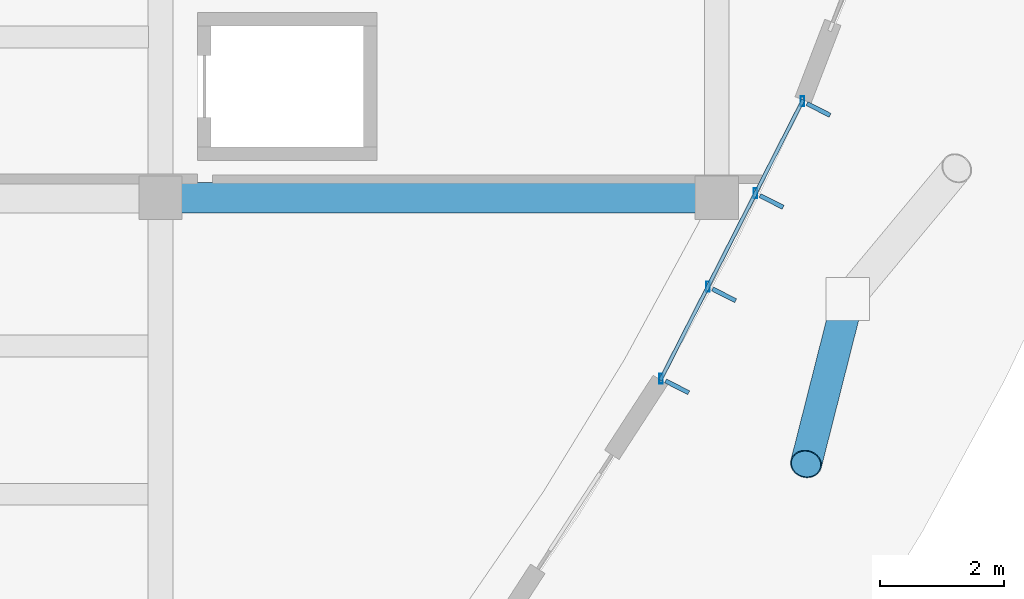
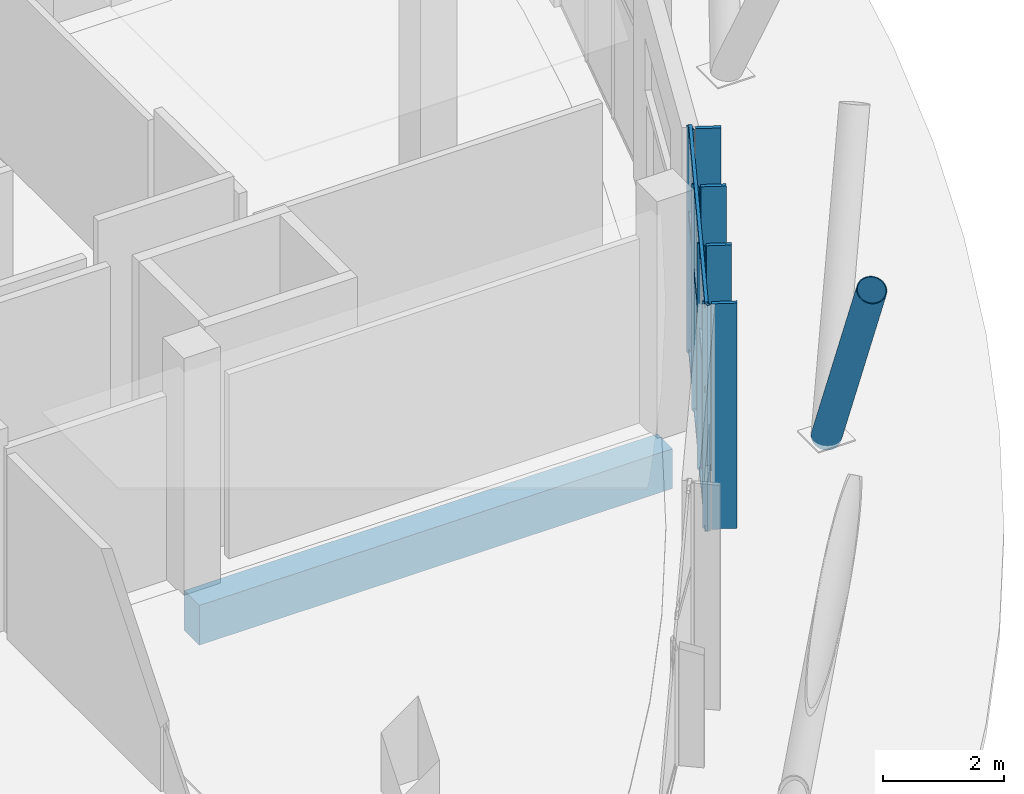
# One storey, part 80 of 151: 12 members, 1 beam, 1 element without a shape of its own.
"""IFC4 building model written with IfcOpenShell, lengths in metres."""

from ifc_helpers import new_model, si_unit, direction, frame, origin, origin_2d, place, context, subcontext, project, spatial, rectangle, hollow_rectangle, hollow_circle, extrude, material, material_profile, profile_set, type_object, element, aggregate, save


model = new_model("IFC4")

# Units and contexts
model_context = context("Model", 3, precision=1e-05, world=origin(), true_north=direction((0.0, 1.0)))
body_context = subcontext(model_context, "Body", "Model", "MODEL_VIEW")
ifc_project = project(units=[si_unit("LENGTHUNIT", "METRE"), si_unit("AREAUNIT", "SQUARE_METRE"), si_unit("VOLUMEUNIT", "CUBIC_METRE"), si_unit("PLANEANGLEUNIT", "RADIAN"), si_unit("MASSUNIT", "GRAM", prefix="KILO")], contexts=[model_context])

# Site, building, storey
site_placement = place(None, origin())
site = spatial("IfcSite", under=ifc_project, at=site_placement, CompositionType="ELEMENT")
building_placement = place(site_placement, origin())
building = spatial("IfcBuilding", under=site, at=building_placement, Name="Chiffa Square Polytechnic", CompositionType="ELEMENT")
storey_placement = place(building_placement, origin())
storey = spatial("IfcBuildingStorey", under=building, at=storey_placement, Name="L00", CompositionType="ELEMENT", Elevation=0.0)

# Beam
ifc_material_1 = material(Name="Concrete C40/50", Category="concrete")
ifc_material_profile_1 = material_profile(ifc_material_1, rectangle(XDim=0.5, YDim=0.800048828125, at=origin_2d()), Name="RC 500x800")
ifc_profile_set_1 = profile_set([ifc_material_profile_1], Name="Concrete C40/50")
beam_type = type_object("IfcBeamType", Name="BM-RC-500X800", PredefinedType="BEAM", material=ifc_profile_set_1)
beam_placement = place(storey_placement, frame((157.199951171875, 36.0, -0.75), z_axis=(1.0, 0.0, 0.0), x_axis=(0.0, 1.0, 0.0)))
element("IfcBeam", 1, at=beam_placement, inside=storey, type_object=beam_type, Name="Primary floor girder BM-V1-L00-X-1572-0360", PredefinedType="BEAM", context=body_context, shape_type="SweptSolid", body=[
    extrude(rectangle(XDim=0.5, YDim=0.800048828125, at=origin_2d()), origin(), (0.0, 0.0, 1.0), 9.0),
])

# Member
ifc_material_2 = material(Name="Steel S355", Category="steel")
ifc_material_profile_2 = material_profile(ifc_material_2, hollow_circle(Radius=0.25390625, WallThickness=0.01611328125, at=origin_2d()), Name="CHS 508x16")
ifc_profile_set_2 = profile_set([ifc_material_profile_2], Name="Steel S355")
member_type_1 = type_object("IfcMemberType", Name="COL-VSTRUT-508", PredefinedType="STRUT", material=ifc_profile_set_2)
member_1_placement = place(storey_placement, frame((168.322021484375, 34.35888671875, 0.0), z_axis=(-0.122341176571, -0.482305713046, 0.867417912934), x_axis=(0.969302249136, -0.245872222544, 0.0)))
element("IfcMember", 2, at=member_1_placement, inside=storey, type_object=member_type_1, Name="Prow steel V-strut CV-V1-L00-07L", PredefinedType="STRUT", context=body_context, shape_type="SweptSolid", body=[
    extrude(hollow_circle(Radius=0.25390625, WallThickness=0.01611328125, at=origin_2d()), origin(), (0.0, 0.0, 1.0), 5.53369140625),
])

# Curtain wall, members
ifc_material_3 = material(Name="Aluminium EN AW-6060 T66 and glulam shading", Category="wood")
curtain_wall_type = type_object("IfcCurtainWallType", Name="CW-VERT-540X440", PredefinedType="USERDEFINED", material=ifc_material_3)
curtain_wall_placement = place(storey_placement, origin())
curtain_wall = element("IfcCurtainWall", 3, at=curtain_wall_placement, inside=storey, type_object=curtain_wall_type, Name="Curtain wall CW-V1-L00-007", ObjectType="CURTAIN WALL", PredefinedType="USERDEFINED")
ifc_material_4 = material(Name="Aluminium EN AW-6060 T66", Category="aluminium")
ifc_material_profile_3 = material_profile(ifc_material_4, hollow_rectangle(XDim=0.06005859375, YDim=0.159912109375, WallThickness=0.00390625, at=origin_2d()), Name="ALU 60x160x4")
ifc_profile_set_3 = profile_set([ifc_material_profile_3], Name="Aluminium EN AW-6060 T66")
member_type_2 = type_object("IfcMemberType", Name="CWM-ALU-65X150", PredefinedType="MULLION", material=ifc_profile_set_3)
member_2_placement = place(storey_placement, frame((165.300048828125, 33.072021484375, -0.02001953125), z_axis=(0.0, 0.0, 1.0), x_axis=(1.0, 0.0, 0.0)))
member_2 = element("IfcMember", 4, at=member_2_placement, type_object=member_type_2, Name="Curtain wall mullion CW-V1-L00-007-M00", PredefinedType="MULLION", context=body_context, shape_type="SweptSolid", body=[
    extrude(hollow_rectangle(XDim=0.06005859375, YDim=0.159912109375, WallThickness=0.00390625, at=origin_2d()), origin(), (0.0, 0.0, 1.0), 4.554931640625),
])
member_3_placement = place(storey_placement, frame((166.05908203125, 34.56103515625, -0.02001953125), z_axis=(0.0, 0.0, 1.0), x_axis=(1.0, 0.0, 0.0)))
member_3 = element("IfcMember", 5, at=member_3_placement, type_object=member_type_2, Name="Curtain wall mullion CW-V1-L00-007-M01", PredefinedType="MULLION", context=body_context, shape_type="SweptSolid", body=[
    extrude(hollow_rectangle(XDim=0.06005859375, YDim=0.159912109375, WallThickness=0.00390625, at=origin_2d()), origin(), (0.0, 0.0, 1.0), 4.554931640625),
])
member_4_placement = place(storey_placement, frame((166.827880859375, 36.072021484375, -0.02001953125), z_axis=(0.0, 0.0, 1.0), x_axis=(1.0, 0.0, 0.0)))
member_4 = element("IfcMember", 6, at=member_4_placement, type_object=member_type_2, Name="Curtain wall mullion CW-V1-L00-007-M02", PredefinedType="MULLION", context=body_context, shape_type="SweptSolid", body=[
    extrude(hollow_rectangle(XDim=0.06005859375, YDim=0.159912109375, WallThickness=0.00390625, at=origin_2d()), origin(), (0.0, 0.0, 1.0), 4.554931640625),
])
member_5_placement = place(storey_placement, frame((167.5869140625, 37.56103515625, -0.02001953125), z_axis=(0.0, 0.0, 1.0), x_axis=(1.0, 0.0, 0.0)))
member_5 = element("IfcMember", 7, at=member_5_placement, type_object=member_type_2, Name="Curtain wall mullion CW-V1-L00-007-M03", PredefinedType="MULLION", context=body_context, shape_type="SweptSolid", body=[
    extrude(hollow_rectangle(XDim=0.06005859375, YDim=0.159912109375, WallThickness=0.00390625, at=origin_2d()), origin(), (0.0, 0.0, 1.0), 4.554931640625),
])
ifc_material_5 = material(Name="Glulam GL28h", Category="wood")
ifc_material_profile_4 = material_profile(ifc_material_5, rectangle(XDim=0.070068359375, YDim=0.419921875, at=origin_2d()), Name="GL28h 70x420")
ifc_profile_set_4 = profile_set([ifc_material_profile_4], Name="Glulam GL28h")
member_type_3 = type_object("IfcMemberType", Name="CWM-GL-70X420", PredefinedType="MULLION", material=ifc_profile_set_4)
member_6_placement = place(storey_placement, frame((165.56005859375, 32.93896484375, -0.010009765625), z_axis=(0.0, 0.0, 1.0), x_axis=(0.453881639369, 0.891061982941, 0.0)))
member_6 = element("IfcMember", 8, at=member_6_placement, type_object=member_type_3, Name="Exterior glulam solar fin CW-V1-L00-007-FN00", PredefinedType="MULLION", context=body_context, shape_type="SweptSolid", body=[
    extrude(rectangle(XDim=0.070068359375, YDim=0.419921875, at=origin_2d()), origin(), (0.0, 0.0, 1.0), 4.534912109375),
])
member_7_placement = place(storey_placement, frame((166.319091796875, 34.427978515625, -0.010009765625), z_axis=(0.0, 0.0, 1.0), x_axis=(0.453881639369, 0.891061982941, 0.0)))
member_7 = element("IfcMember", 9, at=member_7_placement, type_object=member_type_3, Name="Exterior glulam solar fin CW-V1-L00-007-FN01", PredefinedType="MULLION", context=body_context, shape_type="SweptSolid", body=[
    extrude(rectangle(XDim=0.070068359375, YDim=0.419921875, at=origin_2d()), origin(), (0.0, 0.0, 1.0), 4.534912109375),
])
member_8_placement = place(storey_placement, frame((167.087890625, 35.93896484375, -0.010009765625), z_axis=(0.0, 0.0, 1.0), x_axis=(0.453881639369, 0.891061982941, 0.0)))
member_8 = element("IfcMember", 10, at=member_8_placement, type_object=member_type_3, Name="Exterior glulam solar fin CW-V1-L00-007-FN02", PredefinedType="MULLION", context=body_context, shape_type="SweptSolid", body=[
    extrude(rectangle(XDim=0.070068359375, YDim=0.419921875, at=origin_2d()), origin(), (0.0, 0.0, 1.0), 4.534912109375),
])
member_9_placement = place(storey_placement, frame((167.846923828125, 37.427978515625, -0.010009765625), z_axis=(0.0, 0.0, 1.0), x_axis=(0.453881639369, 0.891061982941, 0.0)))
member_9 = element("IfcMember", 11, at=member_9_placement, type_object=member_type_3, Name="Exterior glulam solar fin CW-V1-L00-007-FN03", PredefinedType="MULLION", context=body_context, shape_type="SweptSolid", body=[
    extrude(rectangle(XDim=0.070068359375, YDim=0.419921875, at=origin_2d()), origin(), (0.0, 0.0, 1.0), 4.534912109375),
])
ifc_material_profile_5 = material_profile(ifc_material_4, hollow_rectangle(XDim=0.06005859375, YDim=0.1201171875, WallThickness=0.00390625, at=origin_2d()), Name="ALU 60x120x4")
ifc_profile_set_5 = profile_set([ifc_material_profile_5], Name="Aluminium EN AW-6060 T66")
member_type_4 = type_object("IfcMemberType", Name="CWT-ALU-65X120", PredefinedType="USERDEFINED", material=ifc_profile_set_5)
member_10_placement = place(storey_placement, frame((165.2880859375, 33.048095703125, 0.010009765625), z_axis=(0.453894894177, 0.891055231195, 0.0), x_axis=(-0.891055231195, 0.453894894177, 0.0)))
member_10 = element("IfcMember", 12, at=member_10_placement, type_object=member_type_4, Name="Curtain wall transom CW-V1-L00-007-T01", ObjectType="TRANSOM", PredefinedType="USERDEFINED", context=body_context, shape_type="SweptSolid", body=[
    extrude(hollow_rectangle(XDim=0.06005859375, YDim=0.1201171875, WallThickness=0.00390625, at=origin_2d()), origin(), (0.0, 0.0, 1.0), 5.091552734375),
])
member_11_placement = place(storey_placement, frame((165.2880859375, 33.048095703125, 2.803955078125), z_axis=(0.453894894177, 0.891055231195, 0.0), x_axis=(-0.891055231195, 0.453894894177, 0.0)))
member_11 = element("IfcMember", 13, at=member_11_placement, type_object=member_type_4, Name="Curtain wall transom CW-V1-L00-007-T02", ObjectType="TRANSOM", PredefinedType="USERDEFINED", context=body_context, shape_type="SweptSolid", body=[
    extrude(hollow_rectangle(XDim=0.06005859375, YDim=0.1201171875, WallThickness=0.00390625, at=origin_2d()), origin(), (0.0, 0.0, 1.0), 5.091552734375),
])
member_12_placement = place(storey_placement, frame((165.2880859375, 33.048095703125, 4.5048828125), z_axis=(0.453894894177, 0.891055231195, 0.0), x_axis=(-0.891055231195, 0.453894894177, 0.0)))
member_12 = element("IfcMember", 14, at=member_12_placement, type_object=member_type_4, Name="Curtain wall transom CW-V1-L00-007-T03", ObjectType="TRANSOM", PredefinedType="USERDEFINED", context=body_context, shape_type="SweptSolid", body=[
    extrude(hollow_rectangle(XDim=0.06005859375, YDim=0.1201171875, WallThickness=0.00390625, at=origin_2d()), origin(), (0.0, 0.0, 1.0), 5.091552734375),
])
aggregate(curtain_wall, [member_2, member_6, member_3, member_7, member_4, member_8, member_5, member_9, member_10, member_11, member_12])

save(model, "model.ifc")
